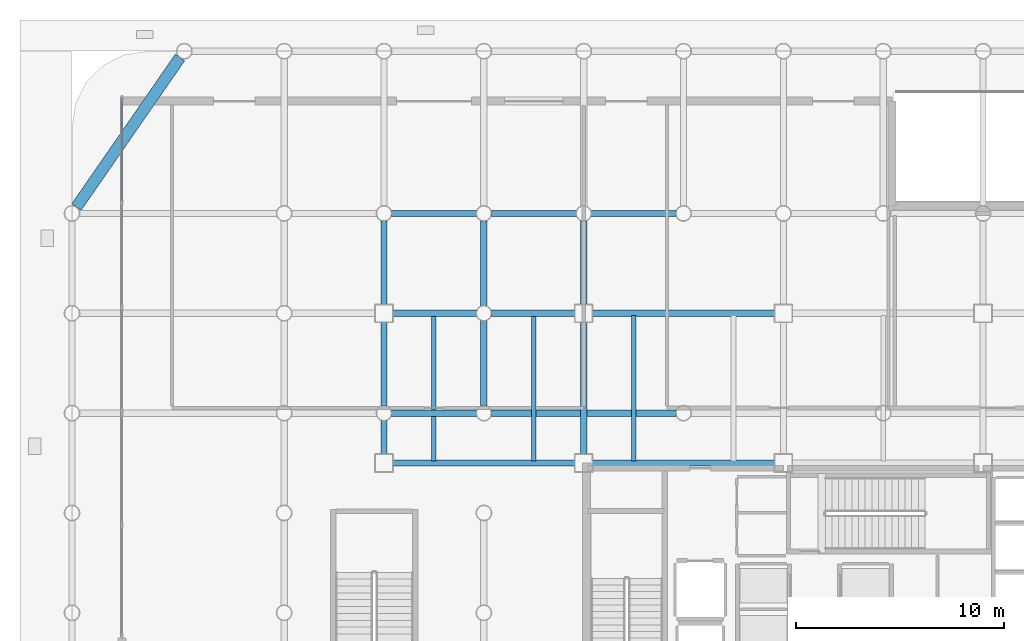
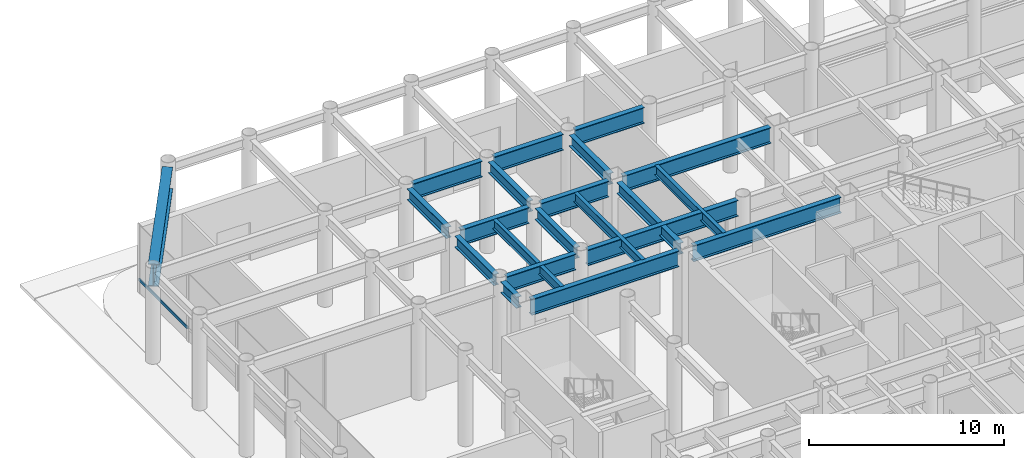
# One storey, part 11 of 23: 21 beams, 1 member, 1 element without a shape of its own.
"""IFC4 building model written with IfcOpenShell, lengths in metres."""

from ifc_helpers import new_model, si_unit, direction, frame, origin, origin_2d, place, context, subcontext, project, spatial, hollow_rectangle, i_section, extrude, material, layer, layer_set, material_profile, profile_set, type_object, element, aggregate, save


model = new_model("IFC4")

# Units and contexts
model_context = context("Model", 3, precision=1e-05, world=origin(), true_north=direction((0.0, 1.0)))
body_context = subcontext(model_context, "Body", "Model", "MODEL_VIEW")
ifc_project = project(units=[si_unit("LENGTHUNIT", "METRE"), si_unit("AREAUNIT", "SQUARE_METRE"), si_unit("VOLUMEUNIT", "CUBIC_METRE"), si_unit("PLANEANGLEUNIT", "RADIAN"), si_unit("MASSUNIT", "GRAM", prefix="KILO")], contexts=[model_context])

# Site, building, storey
site_placement = place(None, origin())
site = spatial("IfcSite", under=ifc_project, at=site_placement, CompositionType="ELEMENT")
building_placement = place(site_placement, origin())
building = spatial("IfcBuilding", under=site, at=building_placement, Name="Kallvorn Hotel Tower", CompositionType="ELEMENT")
storey_placement = place(building_placement, origin())
storey = spatial("IfcBuildingStorey", under=building, at=storey_placement, Name="L00", CompositionType="ELEMENT", Elevation=0.0)

# Beams
ifc_material_1 = material(Name="Structural steel S355JR", Category="steel")
ifc_material_profile_1 = material_profile(ifc_material_1, i_section(OverallWidth=0.300048828125, OverallDepth=1.0, WebThickness=0.01904296875, FlangeThickness=0.035888671875, at=origin_2d()), Name="HE 1000 B")
ifc_profile_set_1 = profile_set([ifc_material_profile_1], Name="Structural steel S355JR")
beam_type_1 = type_object("IfcBeamType", Name="BM_HE1000B", PredefinedType="BEAM", material=ifc_profile_set_1)
for number, where, z_axis, x_axis, name in (
    (1, (-23.574951171875, 7.199951171875, 5.25), (1.0, 0.0, 0.0), (0.0, 1.0, 0.0), "L01 Primary X-Girder 40"),
    (2, (-13.97509765625, 7.199951171875, 5.25), (1.0, 0.0, 0.0), (0.0, 1.0, 0.0), "L01 Primary X-Girder 41"),
):
    element("IfcBeam", number, at=place(storey_placement, frame(where, z_axis=z_axis, x_axis=x_axis)), inside=storey, type_object=beam_type_1, Name=name, PredefinedType="BEAM", context=body_context, shape_type="SweptSolid", body=[
        extrude(i_section(OverallWidth=0.300048828125, OverallDepth=1.0, WebThickness=0.01904296875, FlangeThickness=0.035888671875, at=origin_2d()), origin(), (0.0, 0.0, 1.0), 8.75),
    ])
beam_1_placement = place(storey_placement, frame((-23.64404296875, 9.60009765625, 5.25), z_axis=(1.0, 0.0, 0.0), x_axis=(0.0, 1.0, 0.0)))
element("IfcBeam", 3, at=beam_1_placement, inside=storey, type_object=beam_type_1, Name="L01 Primary X-Girder 47", PredefinedType="BEAM", context=body_context, shape_type="SweptSolid", body=[
    extrude(i_section(OverallWidth=0.300048828125, OverallDepth=1.0, WebThickness=0.01904296875, FlangeThickness=0.035888671875, at=origin_2d()), origin(), (0.0, 0.0, 1.0), 4.088134765625),
])
beam_2_placement = place(storey_placement, frame((-18.843994140625, 9.60009765625, 5.25), z_axis=(1.0, 0.0, 0.0), x_axis=(0.0, 1.0, 0.0)))
element("IfcBeam", 4, at=beam_2_placement, inside=storey, type_object=beam_type_1, Name="L01 Primary X-Girder 48", PredefinedType="BEAM", context=body_context, shape_type="SweptSolid", body=[
    extrude(i_section(OverallWidth=0.300048828125, OverallDepth=1.0, WebThickness=0.01904296875, FlangeThickness=0.035888671875, at=origin_2d()), origin(), (0.0, 0.0, 1.0), 8.887939453125),
])
for number, where, z_axis, x_axis, name in (
    (5, (-23.574951171875, 14.39990234375, 5.25), (1.0, 0.0, 0.0), (0.0, 1.0, 0.0), "L01 Primary X-Girder 57"),
    (6, (-18.843994140625, 14.39990234375, 5.25), (1.0, 0.0, 0.0), (0.0, 1.0, 0.0), "L01 Primary X-Girder 58"),
):
    element("IfcBeam", number, at=place(storey_placement, frame(where, z_axis=z_axis, x_axis=x_axis)), inside=storey, type_object=beam_type_1, Name=name, PredefinedType="BEAM", context=body_context, shape_type="SweptSolid", body=[
        extrude(i_section(OverallWidth=0.300048828125, OverallDepth=1.0, WebThickness=0.01904296875, FlangeThickness=0.035888671875, at=origin_2d()), origin(), (0.0, 0.0, 1.0), 4.01904296875),
    ])
beam_3_placement = place(storey_placement, frame((-13.97509765625, 14.39990234375, 5.25), z_axis=(1.0, 0.0, 0.0), x_axis=(0.0, 1.0, 0.0)))
element("IfcBeam", 7, at=beam_3_placement, inside=storey, type_object=beam_type_1, Name="L01 Primary X-Girder 59", PredefinedType="BEAM", context=body_context, shape_type="SweptSolid", body=[
    extrude(i_section(OverallWidth=0.300048828125, OverallDepth=1.0, WebThickness=0.01904296875, FlangeThickness=0.035888671875, at=origin_2d()), origin(), (0.0, 0.0, 1.0), 8.75),
])
beam_4_placement = place(storey_placement, frame((-23.64404296875, 19.199951171875, 5.25), z_axis=(1.0, 0.0, 0.0), x_axis=(0.0, 1.0, 0.0)))
element("IfcBeam", 8, at=beam_4_placement, inside=storey, type_object=beam_type_1, Name="L01 Primary X-Girder 68", PredefinedType="BEAM", context=body_context, shape_type="SweptSolid", body=[
    extrude(i_section(OverallWidth=0.300048828125, OverallDepth=1.0, WebThickness=0.01904296875, FlangeThickness=0.035888671875, at=origin_2d()), origin(), (0.0, 0.0, 1.0), 4.088134765625),
])
for number, where, z_axis, x_axis, name in (
    (9, (-18.843994140625, 19.199951171875, 5.25), (1.0, 0.0, 0.0), (0.0, 1.0, 0.0), "L01 Primary X-Girder 69"),
    (10, (-14.0439453125, 19.199951171875, 5.25), (1.0, 0.0, 0.0), (0.0, 1.0, 0.0), "L01 Primary X-Girder 70"),
):
    element("IfcBeam", number, at=place(storey_placement, frame(where, z_axis=z_axis, x_axis=x_axis)), inside=storey, type_object=beam_type_1, Name=name, PredefinedType="BEAM", context=body_context, shape_type="SweptSolid", body=[
        extrude(i_section(OverallWidth=0.300048828125, OverallDepth=1.0, WebThickness=0.01904296875, FlangeThickness=0.035888671875, at=origin_2d()), origin(), (0.0, 0.0, 1.0), 4.087890625),
    ])
ifc_material_2 = material(Name="Structural steel S355JR", Category="steel")
ifc_material_profile_2 = material_profile(ifc_material_2, i_section(OverallWidth=0.300048828125, OverallDepth=0.699951171875, WebThickness=0.01708984375, FlangeThickness=0.031982421875, at=origin_2d()), Name="HE 700 B")
ifc_profile_set_2 = profile_set([ifc_material_profile_2], Name="Structural steel S355JR")
beam_type_2 = type_object("IfcBeamType", Name="BM_HE700B", PredefinedType="BEAM", material=ifc_profile_set_2)
beam_5_placement = place(storey_placement, frame((-24.0, 7.625, 5.39990234375), z_axis=(0.0, 1.0, 0.0), x_axis=(-1.0, 0.0, 0.0)))
element("IfcBeam", 11, at=beam_5_placement, inside=storey, type_object=beam_type_2, Name="L01 Primary Y-Girder 94", PredefinedType="BEAM", context=body_context, shape_type="SweptSolid", body=[
    extrude(i_section(OverallWidth=0.300048828125, OverallDepth=0.699951171875, WebThickness=0.01708984375, FlangeThickness=0.031982421875, at=origin_2d()), origin(), (0.0, 0.0, 1.0), 1.618896484375),
])
for number, where, z_axis, x_axis, name in (
    (12, (-24.0, 9.9560546875, 5.39990234375), (0.0, 1.0, 0.0), (-1.0, 0.0, 0.0), "L01 Primary Y-Girder 95"),
    (13, (-24.0, 14.824951171875, 5.39990234375), (0.0, 1.0, 0.0), (-1.0, 0.0, 0.0), "L01 Primary Y-Girder 96"),
):
    element("IfcBeam", number, at=place(storey_placement, frame(where, z_axis=z_axis, x_axis=x_axis)), inside=storey, type_object=beam_type_2, Name=name, PredefinedType="BEAM", context=body_context, shape_type="SweptSolid", body=[
        extrude(i_section(OverallWidth=0.300048828125, OverallDepth=0.699951171875, WebThickness=0.01708984375, FlangeThickness=0.031982421875, at=origin_2d()), origin(), (0.0, 0.0, 1.0), 4.01904296875),
    ])
for number, where, z_axis, x_axis, name in (
    (14, (-19.199951171875, 9.9560546875, 5.39990234375), (0.0, 1.0, 0.0), (-1.0, 0.0, 0.0), "L01 Primary Y-Girder 105"),
    (15, (-19.199951171875, 14.756103515625, 5.39990234375), (0.0, 1.0, 0.0), (-1.0, 0.0, 0.0), "L01 Primary Y-Girder 106"),
):
    element("IfcBeam", number, at=place(storey_placement, frame(where, z_axis=z_axis, x_axis=x_axis)), inside=storey, type_object=beam_type_2, Name=name, PredefinedType="BEAM", context=body_context, shape_type="SweptSolid", body=[
        extrude(i_section(OverallWidth=0.300048828125, OverallDepth=0.699951171875, WebThickness=0.01708984375, FlangeThickness=0.031982421875, at=origin_2d()), origin(), (0.0, 0.0, 1.0), 4.087890625),
    ])
beam_6_placement = place(storey_placement, frame((-14.39990234375, 7.625, 5.39990234375), z_axis=(0.0, 1.0, 0.0), x_axis=(-1.0, 0.0, 0.0)))
element("IfcBeam", 16, at=beam_6_placement, inside=storey, type_object=beam_type_2, Name="L01 Primary Y-Girder 111", PredefinedType="BEAM", context=body_context, shape_type="SweptSolid", body=[
    extrude(i_section(OverallWidth=0.300048828125, OverallDepth=0.699951171875, WebThickness=0.01708984375, FlangeThickness=0.031982421875, at=origin_2d()), origin(), (0.0, 0.0, 1.0), 6.35009765625),
])
beam_7_placement = place(storey_placement, frame((-14.39990234375, 14.824951171875, 5.39990234375), z_axis=(0.0, 1.0, 0.0), x_axis=(-1.0, 0.0, 0.0)))
element("IfcBeam", 17, at=beam_7_placement, inside=storey, type_object=beam_type_2, Name="L01 Primary Y-Girder 112", PredefinedType="BEAM", context=body_context, shape_type="SweptSolid", body=[
    extrude(i_section(OverallWidth=0.300048828125, OverallDepth=0.699951171875, WebThickness=0.01708984375, FlangeThickness=0.031982421875, at=origin_2d()), origin(), (0.0, 0.0, 1.0), 4.01904296875),
])
ifc_material_3 = material(Name="Structural steel S355JR", Category="steel")
ifc_material_profile_3 = material_profile(ifc_material_3, i_section(OverallWidth=0.219970703125, OverallDepth=0.60009765625, WebThickness=0.011962890625, FlangeThickness=0.01904296875, at=origin_2d()), Name="IPE 600")
ifc_profile_set_3 = profile_set([ifc_material_profile_3], Name="Structural steel S355JR")
beam_type_3 = type_object("IfcBeamType", Name="BM_IPE600", PredefinedType="JOIST", material=ifc_profile_set_3)
for number, where, z_axis, x_axis, name in (
    (18, (-21.60009765625, 7.300048828125, 5.449951171875), (0.0, 1.0, 0.0), (-1.0, 0.0, 0.0), "L01 Secondary Composite Joist 221"),
    (19, (-16.800048828125, 7.300048828125, 5.449951171875), (0.0, 1.0, 0.0), (-1.0, 0.0, 0.0), "L01 Secondary Composite Joist 223"),
    (20, (-12.0, 7.300048828125, 5.449951171875), (0.0, 1.0, 0.0), (-1.0, 0.0, 0.0), "L01 Secondary Composite Joist 225"),
):
    element("IfcBeam", number, at=place(storey_placement, frame(where, z_axis=z_axis, x_axis=x_axis)), inside=storey, type_object=beam_type_3, Name=name, PredefinedType="JOIST", context=body_context, shape_type="SweptSolid", body=[
        extrude(i_section(OverallWidth=0.219970703125, OverallDepth=0.60009765625, WebThickness=0.011962890625, FlangeThickness=0.01904296875, at=origin_2d()), origin(), (0.0, 0.0, 1.0), 7.0),
    ])
ifc_material_4 = material(Name="Structural steel S355JR", Category="steel")
ifc_material_profile_4 = material_profile(ifc_material_4, i_section(OverallWidth=0.550048828125, OverallDepth=1.39990234375, WebThickness=0.02490234375, FlangeThickness=0.044921875, at=origin_2d()), Name="PG 1400x550x25x45")
ifc_profile_set_4 = profile_set([ifc_material_profile_4], Name="Structural steel S355JR")
beam_type_4 = type_object("IfcBeamType", Name="BM_PG_1400", PredefinedType="BEAM", material=ifc_profile_set_4)
beam_8_placement = place(storey_placement, frame((-38.788818359375, 19.5048828125, 5.050048828125), z_axis=(0.569188202743, 0.82220726697, 0.0), x_axis=(-0.82220726697, 0.569188202743, 0.0)))
element("IfcBeam", 21, at=beam_8_placement, inside=storey, type_object=beam_type_4, Name="L01 Rounded Corner Tie Beam 217", PredefinedType="BEAM", context=body_context, shape_type="SweptSolid", body=[
    extrude(i_section(OverallWidth=0.550048828125, OverallDepth=1.39990234375, WebThickness=0.02490234375, FlangeThickness=0.044921875, at=origin_2d()), origin(), (0.0, 0.0, 1.0), 8.744873046875),
])

# Curtain wall, member
ifc_material_5 = material(Name="Thermally broken black-anodised aluminium AA 6063-T6", Category="aluminium")
ifc_layer = layer(ifc_material_5, 0.239990234375)
ifc_layer_set = layer_set([ifc_layer], Name="CW_SYS_1_PODIUM_LOW")
curtain_wall_type = type_object("IfcCurtainWallType", Name="CW_SYS_1_PODIUM_LOW", PredefinedType="USERDEFINED", material=ifc_layer_set)
curtain_wall_placement = place(storey_placement, origin())
curtain_wall = element("IfcCurtainWall", 22, at=curtain_wall_placement, inside=storey, type_object=curtain_wall_type, Name="L00 Dark-Glass Curtain Wall CW-L00-W2", ObjectType="UNITISED CURTAIN WALL", PredefinedType="USERDEFINED")
ifc_material_6 = material(Name="Thermally broken black-anodised aluminium AA 6063-T6", Category="aluminium")
ifc_material_profile_5 = material_profile(ifc_material_6, hollow_rectangle(XDim=0.070068359375, YDim=0.179931640625, WallThickness=0.00390625, at=origin_2d()), Name="TRN 180x70")
ifc_profile_set_5 = profile_set([ifc_material_profile_5], Name="Thermally broken black-anodised aluminium AA 6063-T6")
member_type = type_object("IfcMemberType", Name="CW_TRANSOM_180x70", PredefinedType="USERDEFINED", material=ifc_profile_set_5)
member_placement = place(storey_placement, frame((-36.60009765625, 19.780029296875, 0.85009765625), z_axis=(0.0, 1.0, 0.0), x_axis=(-1.0, 0.0, 0.0)))
member = element("IfcMember", 23, at=member_placement, type_object=member_type, Name="CW-L00-W2 Transom 02M", ObjectType="TRANSOM", PredefinedType="USERDEFINED", context=body_context, shape_type="SweptSolid", body=[
    extrude(hollow_rectangle(XDim=0.070068359375, YDim=0.179931640625, WallThickness=0.00390625, at=origin_2d()), origin(), (0.0, 0.0, 1.0), 4.969970703125),
])
aggregate(curtain_wall, [member])

save(model, "model.ifc")
